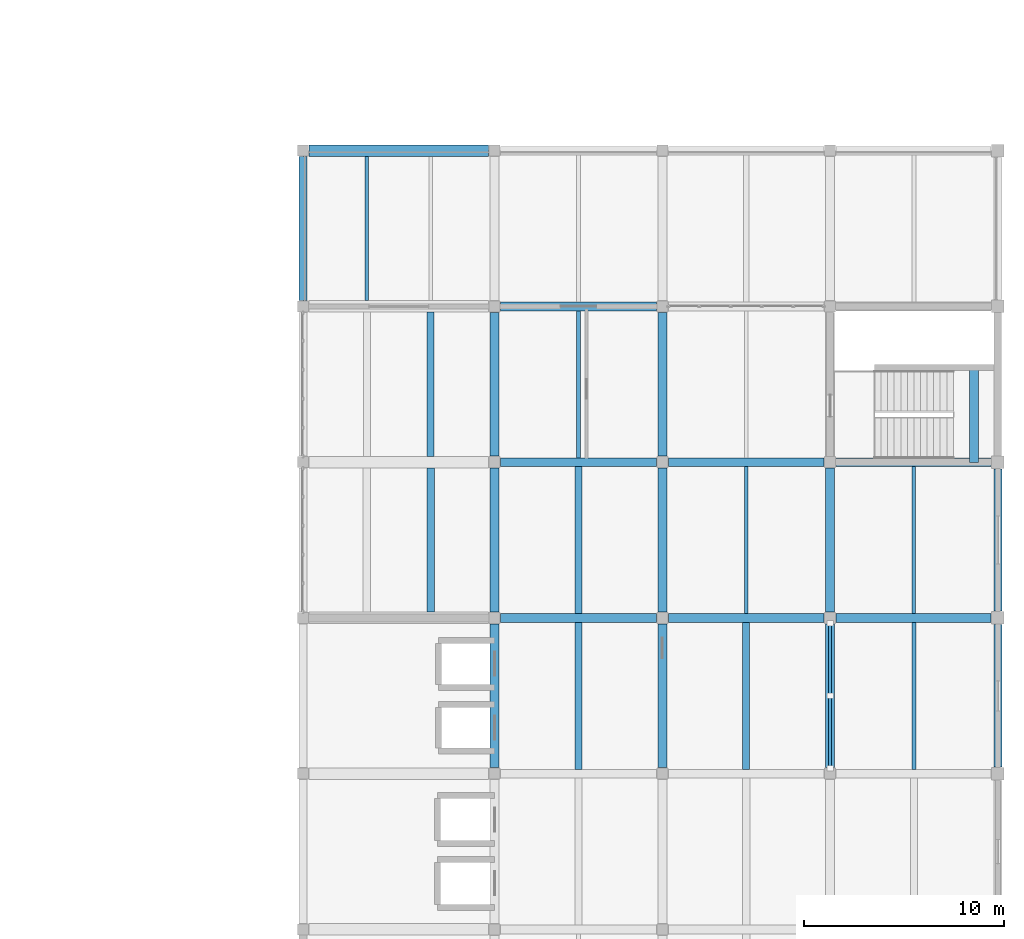
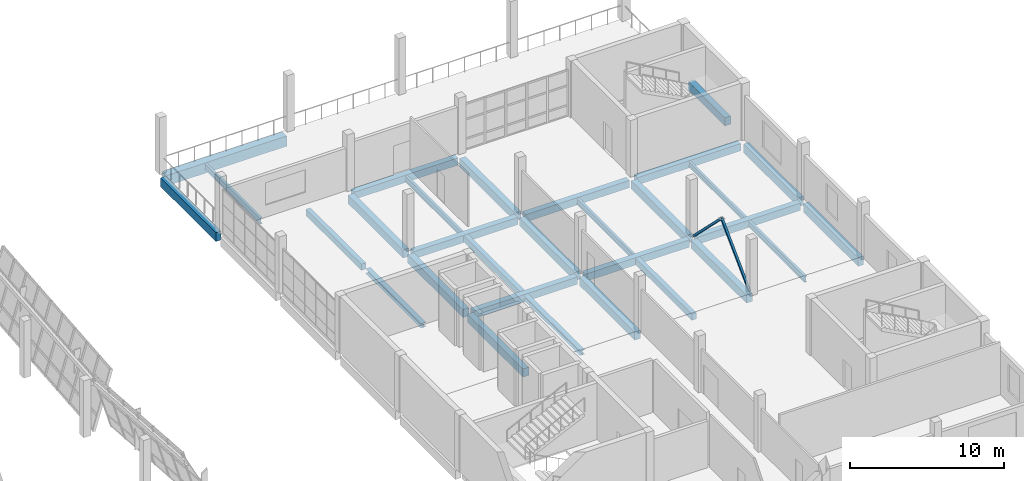
# One storey, part 25 of 67: 30 beams, 2 members.
"""IFC4 building model written with IfcOpenShell, lengths in metres."""

from ifc_helpers import new_model, si_unit, direction, frame, origin, origin_2d, place, context, subcontext, project, spatial, rectangle, hollow_rectangle, i_section, extrude, material, material_profile, profile_set, type_object, element, save


model = new_model("IFC4")

# Units and contexts
model_context = context("Model", 3, precision=1e-05, world=origin(), true_north=direction((0.0, 1.0)))
body_context = subcontext(model_context, "Body", "Model", "MODEL_VIEW")
ifc_project = project(units=[si_unit("LENGTHUNIT", "METRE"), si_unit("AREAUNIT", "SQUARE_METRE"), si_unit("VOLUMEUNIT", "CUBIC_METRE"), si_unit("PLANEANGLEUNIT", "RADIAN"), si_unit("MASSUNIT", "GRAM", prefix="KILO")], contexts=[model_context])

# Site, building, storey
site_placement = place(None, origin())
site = spatial("IfcSite", under=ifc_project, at=site_placement, CompositionType="ELEMENT")
building_placement = place(site_placement, origin())
building = spatial("IfcBuilding", under=site, at=building_placement, Name="Pellamere Symphony Hall", CompositionType="ELEMENT")
storey_placement = place(building_placement, frame((0.0, 0.0, 19.5)))
storey = spatial("IfcBuildingStorey", under=building, at=storey_placement, Name="L04", CompositionType="ELEMENT", Elevation=19.5)

# Beams
ifc_material_1 = material(Name="Concrete 40 MPa", Category="concrete")
ifc_material_profile_1 = material_profile(ifc_material_1, rectangle(XDim=0.449951171875, YDim=0.64990234375, at=origin_2d()), Name="RC 450x650")
ifc_profile_set_1 = profile_set([ifc_material_profile_1], Name="Concrete 40 MPa")
beam_type_1 = type_object("IfcBeamType", Name="RC CB-08 450x650", PredefinedType="BEAM", material=ifc_profile_set_1)
for number, where, z_axis, x_axis, name in (
    (1, (147.60009765625, 54.300048828125, -0.5849609375), (0.0, 1.0, 0.0), (-1.0, 0.0, 0.0), "Girder CB-08-Y1919 (L04)"),
    (2, (147.60009765625, 62.10009765625, -0.5849609375), (0.0, 1.0, 0.0), (-1.0, 0.0, 0.0), "Girder CB-08-Y1920 (L04)"),
):
    element("IfcBeam", number, at=place(storey_placement, frame(where, z_axis=z_axis, x_axis=x_axis)), inside=storey, type_object=beam_type_1, Name=name, PredefinedType="BEAM", context=body_context, shape_type="SweptSolid", body=[
        extrude(rectangle(XDim=0.449951171875, YDim=0.64990234375, at=origin_2d()), origin(), (0.0, 0.0, 1.0), 7.199951171875),
    ])
beam_1_placement = place(storey_placement, frame((147.60009765625, 69.89990234375, -0.5849609375), z_axis=(0.0, 1.0, 0.0), x_axis=(-1.0, 0.0, 0.0)))
element("IfcBeam", 3, at=beam_1_placement, inside=storey, type_object=beam_type_1, Name="Girder CB-08-Y1921 (L04)", PredefinedType="BEAM", context=body_context, shape_type="SweptSolid", body=[
    extrude(rectangle(XDim=0.449951171875, YDim=0.64990234375, at=origin_2d()), origin(), (0.0, 0.0, 1.0), 7.2001953125),
])
for number, where, z_axis, x_axis, name in (
    (4, (156.0, 54.300048828125, -0.5849609375), (0.0, 1.0, 0.0), (-1.0, 0.0, 0.0), "Girder CB-08-Y1926 (L04)"),
    (5, (156.0, 62.10009765625, -0.5849609375), (0.0, 1.0, 0.0), (-1.0, 0.0, 0.0), "Girder CB-08-Y1927 (L04)"),
):
    element("IfcBeam", number, at=place(storey_placement, frame(where, z_axis=z_axis, x_axis=x_axis)), inside=storey, type_object=beam_type_1, Name=name, PredefinedType="BEAM", context=body_context, shape_type="SweptSolid", body=[
        extrude(rectangle(XDim=0.449951171875, YDim=0.64990234375, at=origin_2d()), origin(), (0.0, 0.0, 1.0), 7.199951171875),
    ])
beam_2_placement = place(storey_placement, frame((156.0, 69.89990234375, -0.5849609375), z_axis=(0.0, 1.0, 0.0), x_axis=(-1.0, 0.0, 0.0)))
element("IfcBeam", 6, at=beam_2_placement, inside=storey, type_object=beam_type_1, Name="Girder CB-08-Y1928 (L04)", PredefinedType="BEAM", context=body_context, shape_type="SweptSolid", body=[
    extrude(rectangle(XDim=0.449951171875, YDim=0.64990234375, at=origin_2d()), origin(), (0.0, 0.0, 1.0), 7.2001953125),
])
for number, where, z_axis, x_axis, name in (
    (7, (164.39990234375, 54.300048828125, -0.5849609375), (0.0, 1.0, 0.0), (-1.0, 0.0, 0.0), "Girder CB-08-Y1933 (L04)"),
    (8, (164.39990234375, 62.10009765625, -0.5849609375), (0.0, 1.0, 0.0), (-1.0, 0.0, 0.0), "Girder CB-08-Y1934 (L04)"),
):
    element("IfcBeam", number, at=place(storey_placement, frame(where, z_axis=z_axis, x_axis=x_axis)), inside=storey, type_object=beam_type_1, Name=name, PredefinedType="BEAM", context=body_context, shape_type="SweptSolid", body=[
        extrude(rectangle(XDim=0.449951171875, YDim=0.64990234375, at=origin_2d()), origin(), (0.0, 0.0, 1.0), 7.199951171875),
    ])
beam_3_placement = place(storey_placement, frame((171.607421875, 69.580078125, 1.705078125), z_axis=(0.0, 1.0, 0.0), x_axis=(-1.0, 0.0, 0.0)))
element("IfcBeam", 9, at=beam_3_placement, inside=storey, type_object=beam_type_1, Name="Stair ST05-L04 Half Landing Support Beam (L04)", PredefinedType="BEAM", context=body_context, shape_type="SweptSolid", body=[
    extrude(rectangle(XDim=0.449951171875, YDim=0.64990234375, at=origin_2d()), origin(), (0.0, 0.0, 1.0), 4.780029296875),
])
ifc_material_2 = material(Name="Concrete 35 MPa", Category="concrete")
ifc_material_profile_2 = material_profile(ifc_material_2, rectangle(XDim=0.35009765625, YDim=0.5, at=origin_2d()), Name="RC 350x500")
ifc_profile_set_2 = profile_set([ifc_material_profile_2], Name="Concrete 35 MPa")
beam_type_2 = type_object("IfcBeamType", Name="RC CB-11 350x500", PredefinedType="BEAM", material=ifc_profile_set_2)
beam_4_placement = place(storey_placement, frame((144.39990234375, 69.889892578125, -0.52490234375), z_axis=(0.0, 1.0, 0.0), x_axis=(-1.0, 0.0, 0.0)))
element("IfcBeam", 10, at=beam_4_placement, inside=storey, type_object=beam_type_2, Name="Secondary Floor Beam CB-11-B1709 (L04)", PredefinedType="BEAM", context=body_context, shape_type="SweptSolid", body=[
    extrude(rectangle(XDim=0.35009765625, YDim=0.5, at=origin_2d()), origin(), (0.0, 0.0, 1.0), 7.22021484375),
])
beam_5_placement = place(storey_placement, frame((151.800048828125, 62.02001953125, -0.52490234375), z_axis=(0.0, 1.0, 0.0), x_axis=(-1.0, 0.0, 0.0)))
element("IfcBeam", 11, at=beam_5_placement, inside=storey, type_object=beam_type_2, Name="Secondary Floor Beam CB-11-M1808 (L04)", PredefinedType="BEAM", context=body_context, shape_type="SweptSolid", body=[
    extrude(rectangle(XDim=0.35009765625, YDim=0.5, at=origin_2d()), origin(), (0.0, 0.0, 1.0), 7.35986328125),
])
beam_6_placement = place(storey_placement, frame((160.199951171875, 54.219970703125, -0.52490234375), z_axis=(0.0, 1.0, 0.0), x_axis=(-1.0, 0.0, 0.0)))
element("IfcBeam", 12, at=beam_6_placement, inside=storey, type_object=beam_type_2, Name="Secondary Floor Beam CB-11-M1907 (L04)", PredefinedType="BEAM", context=body_context, shape_type="SweptSolid", body=[
    extrude(rectangle(XDim=0.35009765625, YDim=0.5, at=origin_2d()), origin(), (0.0, 0.0, 1.0), 7.360107421875),
])
ifc_material_profile_3 = material_profile(ifc_material_1, rectangle(XDim=0.39990234375, YDim=0.699951171875, at=origin_2d()), Name="RC 400x700")
ifc_profile_set_3 = profile_set([ifc_material_profile_3], Name="Concrete 40 MPa")
beam_type_3 = type_object("IfcBeamType", Name="RC CB-13 400x700", PredefinedType="SPANDREL", material=ifc_profile_set_3)
beam_7_placement = place(storey_placement, frame((138.0, 77.699951171875, -0.610107421875), z_axis=(0.0, 1.0, 0.0), x_axis=(-1.0, 0.0, 0.0)))
element("IfcBeam", 13, at=beam_7_placement, inside=storey, type_object=beam_type_3, Name="Girder CB-13-Y1915 (L04)", PredefinedType="SPANDREL", context=body_context, shape_type="SweptSolid", body=[
    extrude(rectangle(XDim=0.39990234375, YDim=0.699951171875, at=origin_2d()), origin(), (0.0, 0.0, 1.0), 7.199951171875),
])
beam_8_placement = place(storey_placement, frame((172.800048828125, 54.340087890625, -0.610107421875), z_axis=(0.0, 1.0, 0.0), x_axis=(-1.0, 0.0, 0.0)))
element("IfcBeam", 14, at=beam_8_placement, inside=storey, type_object=beam_type_3, Name="Girder CB-13-Y1939 (L04)", PredefinedType="SPANDREL", context=body_context, shape_type="SweptSolid", body=[
    extrude(rectangle(XDim=0.39990234375, YDim=0.699951171875, at=origin_2d()), origin(), (0.0, 0.0, 1.0), 7.119873046875),
])
beam_9_placement = place(storey_placement, frame((172.800048828125, 62.139892578125, -0.610107421875), z_axis=(0.0, 1.0, 0.0), x_axis=(-1.0, 0.0, 0.0)))
element("IfcBeam", 15, at=beam_9_placement, inside=storey, type_object=beam_type_3, Name="Girder CB-13-Y1940 (L04)", PredefinedType="SPANDREL", context=body_context, shape_type="SweptSolid", body=[
    extrude(rectangle(XDim=0.39990234375, YDim=0.699951171875, at=origin_2d()), origin(), (0.0, 0.0, 1.0), 7.1201171875),
])
ifc_material_profile_4 = material_profile(ifc_material_1, rectangle(XDim=0.580078125, YDim=0.820068359375, at=origin_2d()), Name="RC 580x820")
ifc_profile_set_4 = profile_set([ifc_material_profile_4], Name="Concrete 40 MPa")
beam_type_4 = type_object("IfcBeamType", Name="RC CB-15 580x820", PredefinedType="BEAM", material=ifc_profile_set_4)
beam_10_placement = place(storey_placement, frame((138.300048828125, 85.199951171875, -0.669921875), z_axis=(1.0, 0.0, 0.0), x_axis=(0.0, 1.0, 0.0)))
element("IfcBeam", 16, at=beam_10_placement, inside=storey, type_object=beam_type_4, Name="Girder CB-15-X1865 (L04)", PredefinedType="BEAM", context=body_context, shape_type="SweptSolid", body=[
    extrude(rectangle(XDim=0.580078125, YDim=0.820068359375, at=origin_2d()), origin(), (0.0, 0.0, 1.0), 9.0),
])
ifc_material_profile_5 = material_profile(ifc_material_1, rectangle(XDim=0.43994140625, YDim=0.580078125, at=origin_2d()), Name="RC 440x580")
ifc_profile_set_5 = profile_set([ifc_material_profile_5], Name="Concrete 40 MPa")
beam_type_5 = type_object("IfcBeamType", Name="RC CB-20 440x580", PredefinedType="BEAM", material=ifc_profile_set_5)
for number, where, z_axis, x_axis, name in (
    (17, (147.89990234375, 61.800048828125, -0.550048828125), (1.0, 0.0, 0.0), (0.0, 1.0, 0.0), "Girder CB-20-X1851 (L04)"),
    (18, (156.300048828125, 61.800048828125, -0.550048828125), (1.0, 0.0, 0.0), (0.0, 1.0, 0.0), "Girder CB-20-X1852 (L04)"),
):
    element("IfcBeam", number, at=place(storey_placement, frame(where, z_axis=z_axis, x_axis=x_axis)), inside=storey, type_object=beam_type_5, Name=name, PredefinedType="BEAM", context=body_context, shape_type="SweptSolid", body=[
        extrude(rectangle(XDim=0.43994140625, YDim=0.580078125, at=origin_2d()), origin(), (0.0, 0.0, 1.0), 7.800048828125),
    ])
beam_11_placement = place(storey_placement, frame((164.699951171875, 61.800048828125, -0.550048828125), z_axis=(1.0, 0.0, 0.0), x_axis=(0.0, 1.0, 0.0)))
element("IfcBeam", 19, at=beam_11_placement, inside=storey, type_object=beam_type_5, Name="Girder CB-20-X1853 (L04)", PredefinedType="BEAM", context=body_context, shape_type="SweptSolid", body=[
    extrude(rectangle(XDim=0.43994140625, YDim=0.580078125, at=origin_2d()), origin(), (0.0, 0.0, 1.0), 7.760009765625),
])
for number, where, z_axis, x_axis, name in (
    (20, (147.89990234375, 69.60009765625, -0.550048828125), (1.0, 0.0, 0.0), (0.0, 1.0, 0.0), "Girder CB-20-X1856 (L04)"),
    (21, (156.300048828125, 69.60009765625, -0.550048828125), (1.0, 0.0, 0.0), (0.0, 1.0, 0.0), "Girder CB-20-X1857 (L04)"),
):
    element("IfcBeam", number, at=place(storey_placement, frame(where, z_axis=z_axis, x_axis=x_axis)), inside=storey, type_object=beam_type_5, Name=name, PredefinedType="BEAM", context=body_context, shape_type="SweptSolid", body=[
        extrude(rectangle(XDim=0.43994140625, YDim=0.580078125, at=origin_2d()), origin(), (0.0, 0.0, 1.0), 7.800048828125),
    ])
beam_12_placement = place(storey_placement, frame((164.699951171875, 69.60009765625, -0.550048828125), z_axis=(1.0, 0.0, 0.0), x_axis=(0.0, 1.0, 0.0)))
element("IfcBeam", 22, at=beam_12_placement, inside=storey, type_object=beam_type_5, Name="Girder CB-20-X1858 (L04)", PredefinedType="BEAM", context=body_context, shape_type="SweptSolid", body=[
    extrude(rectangle(XDim=0.43994140625, YDim=0.580078125, at=origin_2d()), origin(), (0.0, 0.0, 1.0), 7.760009765625),
])
beam_13_placement = place(storey_placement, frame((147.89990234375, 77.39990234375, -0.550048828125), z_axis=(1.0, 0.0, 0.0), x_axis=(0.0, 1.0, 0.0)))
element("IfcBeam", 23, at=beam_13_placement, inside=storey, type_object=beam_type_5, Name="Girder CB-20-X1861 (L04)", PredefinedType="BEAM", context=body_context, shape_type="SweptSolid", body=[
    extrude(rectangle(XDim=0.43994140625, YDim=0.580078125, at=origin_2d()), origin(), (0.0, 0.0, 1.0), 7.800048828125),
])
ifc_material_3 = material(Name="Steel CSA G40.21 350W", Category="steel")
ifc_material_profile_6 = material_profile(ifc_material_3, i_section(OverallWidth=0.368896484375, OverallDepth=0.35595703125, WebThickness=0.01123046875, FlangeThickness=0.01806640625, at=origin_2d()), Name="W360X134")
ifc_profile_set_6 = profile_set([ifc_material_profile_6], Name="Steel CSA G40.21 350W")
beam_type_6 = type_object("IfcBeamType", Name="Steel Beam SB-28 W360X134", PredefinedType="BEAM", material=ifc_profile_set_6)
beam_14_placement = place(storey_placement, frame((144.39990234375, 62.090087890625, -0.452880859375), z_axis=(0.0, 1.0, 0.0), x_axis=(-1.0, 0.0, 0.0)))
element("IfcBeam", 24, at=beam_14_placement, inside=storey, type_object=beam_type_6, Name="Secondary Floor Beam SB-28-B1708 (L04)", PredefinedType="BEAM", context=body_context, shape_type="SweptSolid", body=[
    extrude(i_section(OverallWidth=0.368896484375, OverallDepth=0.35595703125, WebThickness=0.01123046875, FlangeThickness=0.01806640625, at=origin_2d()), origin(), (0.0, 0.0, 1.0), 7.219970703125),
])
beam_15_placement = place(storey_placement, frame((151.800048828125, 54.219970703125, -0.452880859375), z_axis=(0.0, 1.0, 0.0), x_axis=(-1.0, 0.0, 0.0)))
element("IfcBeam", 25, at=beam_15_placement, inside=storey, type_object=beam_type_6, Name="Secondary Floor Beam SB-28-M1807 (L04)", PredefinedType="BEAM", context=body_context, shape_type="SweptSolid", body=[
    extrude(i_section(OverallWidth=0.368896484375, OverallDepth=0.35595703125, WebThickness=0.01123046875, FlangeThickness=0.01806640625, at=origin_2d()), origin(), (0.0, 0.0, 1.0), 7.360107421875),
])
ifc_material_profile_7 = material_profile(ifc_material_3, i_section(OverallWidth=0.19091796875, OverallDepth=0.4599609375, WebThickness=0.010009765625, FlangeThickness=0.014404296875, at=origin_2d()), Name="W460X82")
ifc_profile_set_7 = profile_set([ifc_material_profile_7], Name="Steel CSA G40.21 350W")
beam_type_7 = type_object("IfcBeamType", Name="Steel Joist SB-17 W460X82", PredefinedType="JOIST", material=ifc_profile_set_7)
beam_16_placement = place(storey_placement, frame((141.199951171875, 77.68994140625, -0.5048828125), z_axis=(0.0, 1.0, 0.0), x_axis=(-1.0, 0.0, 0.0)))
element("IfcBeam", 26, at=beam_16_placement, inside=storey, type_object=beam_type_7, Name="Secondary Floor Beam SB-17-A1710 (L04)", PredefinedType="JOIST", context=body_context, shape_type="SweptSolid", body=[
    extrude(i_section(OverallWidth=0.19091796875, OverallDepth=0.4599609375, WebThickness=0.010009765625, FlangeThickness=0.014404296875, at=origin_2d()), origin(), (0.0, 0.0, 1.0), 7.219970703125),
])
for number, where, z_axis, x_axis, name in (
    (27, (151.800048828125, 69.820068359375, -0.5048828125), (0.0, 1.0, 0.0), (-1.0, 0.0, 0.0), "Secondary Floor Beam SB-17-M1809 (L04)"),
    (28, (160.199951171875, 62.02001953125, -0.5048828125), (0.0, 1.0, 0.0), (-1.0, 0.0, 0.0), "Secondary Floor Beam SB-17-M1908 (L04)"),
):
    element("IfcBeam", number, at=place(storey_placement, frame(where, z_axis=z_axis, x_axis=x_axis)), inside=storey, type_object=beam_type_7, Name=name, PredefinedType="JOIST", context=body_context, shape_type="SweptSolid", body=[
        extrude(i_section(OverallWidth=0.19091796875, OverallDepth=0.4599609375, WebThickness=0.010009765625, FlangeThickness=0.014404296875, at=origin_2d()), origin(), (0.0, 0.0, 1.0), 7.35986328125),
    ])
beam_17_placement = place(storey_placement, frame((168.60009765625, 54.219970703125, -0.5048828125), z_axis=(0.0, 1.0, 0.0), x_axis=(-1.0, 0.0, 0.0)))
element("IfcBeam", 29, at=beam_17_placement, inside=storey, type_object=beam_type_7, Name="Secondary Floor Beam SB-17-M2007 (L04)", PredefinedType="JOIST", context=body_context, shape_type="SweptSolid", body=[
    extrude(i_section(OverallWidth=0.19091796875, OverallDepth=0.4599609375, WebThickness=0.010009765625, FlangeThickness=0.014404296875, at=origin_2d()), origin(), (0.0, 0.0, 1.0), 7.360107421875),
])
ifc_material_profile_8 = material_profile(ifc_material_3, i_section(OverallWidth=0.179931640625, OverallDepth=0.4130859375, WebThickness=0.009765625, FlangeThickness=0.01513671875, at=origin_2d()), Name="W410X74")
ifc_profile_set_8 = profile_set([ifc_material_profile_8], Name="Steel CSA G40.21 350W")
beam_type_8 = type_object("IfcBeamType", Name="Steel Joist SB-19 W410X74", PredefinedType="JOIST", material=ifc_profile_set_8)
beam_18_placement = place(storey_placement, frame((168.60009765625, 62.02001953125, -0.4814453125), z_axis=(0.0, 1.0, 0.0), x_axis=(-1.0, 0.0, 0.0)))
element("IfcBeam", 30, at=beam_18_placement, inside=storey, type_object=beam_type_8, Name="Secondary Floor Beam SB-19-M2008 (L04)", PredefinedType="JOIST", context=body_context, shape_type="SweptSolid", body=[
    extrude(i_section(OverallWidth=0.179931640625, OverallDepth=0.4130859375, WebThickness=0.009765625, FlangeThickness=0.01513671875, at=origin_2d()), origin(), (0.0, 0.0, 1.0), 7.35986328125),
])

# Members
ifc_material_profile_9 = material_profile(ifc_material_3, hollow_rectangle(XDim=0.15234375, YDim=0.15234375, WallThickness=0.009521484375, at=origin_2d()), Name="HSS152X152X10")
ifc_profile_set_9 = profile_set([ifc_material_profile_9], Name="Steel CSA G40.21 350W")
member_type = type_object("IfcMemberType", Name="Steel Member SM-06 HSS152X152X10", PredefinedType="BRACE", material=ifc_profile_set_9)
for number, where, z_axis, x_axis, name in (
    (31, (164.39990234375, 54.27490234375, 0.0), (0.0, 0.710519986322, 0.703677020398), (-1.0, 0.0, 0.0), "Interior Frame Chevron Brace 06A (L04)"),
    (32, (164.39990234375, 61.52490234375, 0.0), (0.0, -0.710519986322, 0.703677020398), (1.0, 0.0, 0.0), "Interior Frame Chevron Brace 06B (L04)"),
):
    element("IfcMember", number, at=place(storey_placement, frame(where, z_axis=z_axis, x_axis=x_axis)), inside=storey, type_object=member_type, Name=name, PredefinedType="BRACE", context=body_context, shape_type="SweptSolid", body=[
        extrude(hollow_rectangle(XDim=0.15234375, YDim=0.15234375, WallThickness=0.009521484375, at=origin_2d()), origin(), (0.0, 0.0, 1.0), 5.101806640625),
    ])

save(model, "model.ifc")
